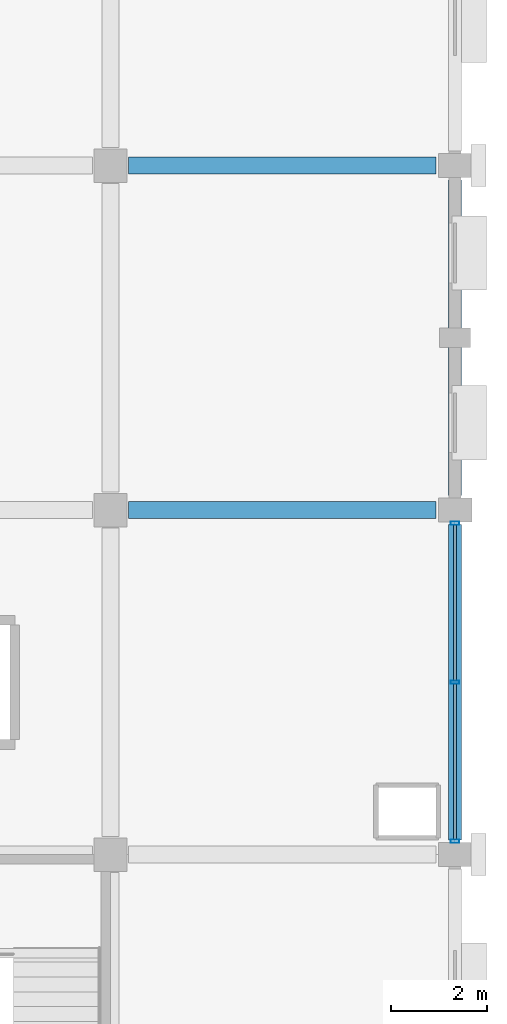
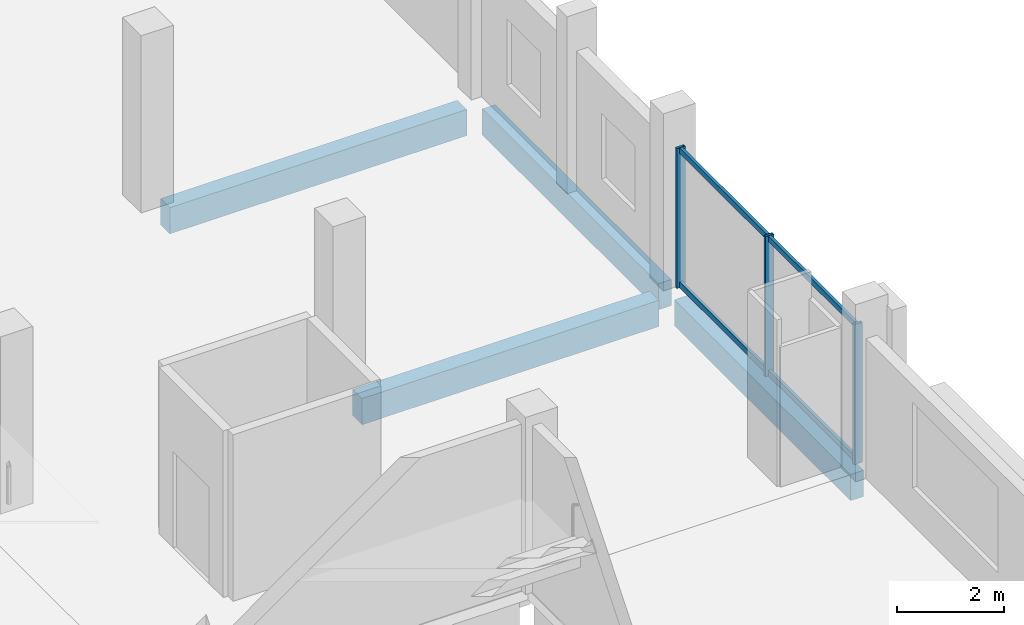
# One storey, part 47 of 91: 7 members, 4 beams, 1 element without a shape of its own.
"""IFC4 building model written with IfcOpenShell, lengths in metres."""

import ifcopenshell
import ifcopenshell.guid

model = None  # the IFC model being written
_history = None  # IfcOwnerHistory: only IFC2X3 demands one
_inside = {}  # id of a spatial element -> (the spatial element, [elements in it])
_under = {}  # id of a project, library or spatial element -> (it, [spatial elements below it])
_declared = {}  # id of a project -> (the project, [libraries it declares])
_typed = {}  # id of a type object -> (the type object, [elements of that type])
_made_of = {}  # id of a material, layer set ... -> (it, [elements and type objects made of it])


def new_model(schema):
    """Start an empty IFC model of exactly this schema.

    Asked for "IFC4X3", IfcOpenShell would pick the latest addendum, in which some entities
    have other attributes; the version numbers below select the first issue.
    IFC2X3 requires an IfcOwnerHistory on every rooted entity: one is made here for all.
    """
    global model, _history
    if schema == "IFC4X3":
        model = ifcopenshell.file(schema_version=(4, 3, 0, 0))
    else:
        model = ifcopenshell.file(schema=schema)
    _inside.clear()
    _under.clear()
    _declared.clear()
    _typed.clear()
    _made_of.clear()
    _history = None
    if model.schema == "IFC2X3":
        org = make("IfcOrganization", Name="unknown")
        user = make(
            "IfcPersonAndOrganization",
            ThePerson=make("IfcPerson", FamilyName="unknown"),
            TheOrganization=org,
        )
        app = make(
            "IfcApplication",
            ApplicationDeveloper=org,
            Version="unknown",
            ApplicationFullName="unknown",
            ApplicationIdentifier="unknown",
        )
        _history = make(
            "IfcOwnerHistory",
            OwningUser=user,
            OwningApplication=app,
            ChangeAction="ADDED",
            CreationDate=0,
        )
    return model


def make(cls, **values):
    """One entity of the class cls with the attributes given. An attribute that is None is left unset."""
    return model.create_entity(
        cls, **{name: value for name, value in values.items() if value is not None}
    )


def rooted(cls, **values):
    """An entity with a GlobalId (a new one), such as an element, a storey or a relation."""
    return make(cls, GlobalId=ifcopenshell.guid.new(), OwnerHistory=_history, **values)


def si_unit(unit_type, name, prefix=None):
    """IfcSIUnit, for example si_unit("LENGTHUNIT", "METRE", prefix="MILLI")."""
    return make("IfcSIUnit", UnitType=unit_type, Prefix=prefix, Name=name)


def assignment(units):
    """IfcUnitAssignment: the units of a project."""
    return None if units is None else make("IfcUnitAssignment", Units=units)


def point(xyz):
    """IfcCartesianPoint."""
    return None if xyz is None else make("IfcCartesianPoint", Coordinates=xyz)


def direction(xyz):
    """IfcDirection."""
    return None if xyz is None else make("IfcDirection", DirectionRatios=xyz)


def frame(location, z_axis=None, x_axis=None):
    """IfcAxis2Placement3D, a coordinate frame: its origin and axes. An axis left out is left unset."""
    return make(
        "IfcAxis2Placement3D",
        Location=point(location),
        Axis=direction(z_axis),
        RefDirection=direction(x_axis),
    )


def frame_2d(location, x_axis=None):
    """IfcAxis2Placement2D, a coordinate frame in the plane: its origin and x axis."""
    return make(
        "IfcAxis2Placement2D", Location=point(location), RefDirection=direction(x_axis)
    )


def origin():
    """The frame at (0, 0, 0) with its axes left unset."""
    return frame((0.0, 0.0, 0.0))


def origin_2d():
    """The frame at (0, 0) in the plane with its x axis left unset."""
    return frame_2d((0.0, 0.0))


def place(relative_to, where):
    """IfcLocalPlacement: puts the frame where relative to a parent placement (None: the world)."""
    return make(
        "IfcLocalPlacement", PlacementRelTo=relative_to, RelativePlacement=where
    )


def context(
    kind, dimensions, precision=None, world=None, true_north=None, identifier=None
):
    """IfcGeometricRepresentationContext, for example the 3D "Model" context."""
    return make(
        "IfcGeometricRepresentationContext",
        ContextIdentifier=identifier,
        ContextType=kind,
        CoordinateSpaceDimension=dimensions,
        Precision=precision,
        WorldCoordinateSystem=world,
        TrueNorth=true_north,
    )


def subcontext(parent, identifier, kind, view, scale=None):
    """IfcGeometricRepresentationSubContext, for example "Body" below "Model"."""
    return make(
        "IfcGeometricRepresentationSubContext",
        ContextIdentifier=identifier,
        ContextType=kind,
        ParentContext=parent,
        TargetScale=scale,
        TargetView=view,
    )


def project(units=None, contexts=None):
    """IfcProject with its units and contexts."""
    return rooted(
        "IfcProject",
        Name="project",
        RepresentationContexts=contexts,
        UnitsInContext=assignment(units),
    )


def spatial(cls, under=None, at=None, **own):
    """A site, building, storey or space (cls), placed at a placement, below another one or the project."""
    s = rooted(cls, ObjectPlacement=at, **own)
    if under is not None:
        _under.setdefault(under.id(), (under, []))[1].append(s)
    return s


def profile(cls, at=None, kind="AREA", **sizes):
    """A parametric profile (cls). Its sizes go by their IFC names, for example OverallWidth=200.0."""
    return make(cls, ProfileType=kind, Position=at, **sizes)


def rectangle(**sizes):
    """IfcRectangleProfileDef."""
    return profile("IfcRectangleProfileDef", **sizes)


def hollow_rectangle(**sizes):
    """IfcRectangleHollowProfileDef."""
    return profile("IfcRectangleHollowProfileDef", **sizes)


def extrude(swept, where, along, depth):
    """IfcExtrudedAreaSolid: the profile swept, set in the frame where, extruded along a direction by depth."""
    return make(
        "IfcExtrudedAreaSolid",
        SweptArea=swept,
        Position=where,
        ExtrudedDirection=direction(along),
        Depth=depth,
    )


def shape(context_of_items, identifier, shape_type, items):
    """IfcShapeRepresentation: the items that make up one representation, for example the "Body"."""
    return make(
        "IfcShapeRepresentation",
        ContextOfItems=context_of_items,
        RepresentationIdentifier=identifier,
        RepresentationType=shape_type,
        Items=items,
    )


def material(Name=None, Category=None):
    """IfcMaterial."""
    return make("IfcMaterial", Name=Name, Category=Category)


def layer(
    of_material, thickness, ventilated=None, Name=None, Category=None, Priority=None
):
    """IfcMaterialLayer: one layer of a wall or slab, of a material (None: an air gap)."""
    return make(
        "IfcMaterialLayer",
        Material=of_material,
        LayerThickness=thickness,
        IsVentilated=ventilated,
        Name=Name,
        Category=Category,
        Priority=Priority,
    )


def layer_set(layers, Name=None):
    """IfcMaterialLayerSet."""
    return make("IfcMaterialLayerSet", MaterialLayers=layers, LayerSetName=Name)


def material_profile(
    of_material, cross_section, Name=None, Category=None, Priority=None
):
    """IfcMaterialProfile: a cross section and its material."""
    return make(
        "IfcMaterialProfile",
        Name=Name,
        Material=of_material,
        Profile=cross_section,
        Priority=Priority,
        Category=Category,
    )


def profile_set(profiles, Name=None, composite=None):
    """IfcMaterialProfileSet."""
    return make(
        "IfcMaterialProfileSet",
        Name=Name,
        MaterialProfiles=profiles,
        CompositeProfile=composite,
    )


def made_of(thing, what):
    """Note that an element or type object is made of a material, layer set ...; save() writes the relation."""
    if what is not None:
        _made_of.setdefault(what.id(), (what, []))[1].append(thing)
    return thing


def type_object(cls, material=None, **own):
    """A type object (cls), such as IfcWallType, which elements share."""
    return made_of(rooted(cls, **own), material)


def element(
    cls,
    number,
    at=None,
    inside=None,
    cuts=None,
    type_object=None,
    material=None,
    context=None,
    identifier="Body",
    shape_type=None,
    held_by="IfcProductDefinitionShape",
    body=None,
    shapes=None,
    **own,
):
    """One element of the class cls, such as IfcWall. Its Tag is "e" and its number.

    at: its placement. inside: the storey or other place that contains it. cuts: it is an
    opening in that element (IfcRelVoidsElement). A single representation is given by context,
    identifier, shape_type and body (its items); several are given by shapes. held_by: the class
    of the entity that holds the representations. save() writes the other relations.
    """
    e = rooted(cls, Tag="e%d" % number, ObjectPlacement=at, **own)
    if body is not None:
        shapes = [shape(context, identifier, shape_type, body)]
    if shapes is not None:
        e.Representation = make(held_by, Representations=shapes)
    if inside is not None:
        _inside.setdefault(inside.id(), (inside, []))[1].append(e)
    if cuts is not None:
        rooted(
            "IfcRelVoidsElement", RelatingBuildingElement=cuts, RelatedOpeningElement=e
        )
    if type_object is not None:
        _typed.setdefault(type_object.id(), (type_object, []))[1].append(e)
    return made_of(e, material)


def aggregate(whole, parts):
    """IfcRelAggregates: a whole, such as a stair, and the parts it consists of."""
    return rooted("IfcRelAggregates", RelatingObject=whole, RelatedObjects=parts)


def save(model, path):
    """Write the relations noted so far, then the file.

    IfcRelAggregates (storeys below a building ...), IfcRelContainedInSpatialStructure (elements
    in a storey), IfcRelDefinesByType, IfcRelAssociatesMaterial and IfcRelDeclares: one each for
    every whole, place, type object, material and project.
    """
    for whole, parts in _under.values():
        aggregate(whole, parts)
    for where, things in _inside.values():
        rooted(
            "IfcRelContainedInSpatialStructure",
            RelatedElements=things,
            RelatingStructure=where,
        )
    for kind, things in _typed.values():
        rooted("IfcRelDefinesByType", RelatedObjects=things, RelatingType=kind)
    for what, things in _made_of.values():
        rooted("IfcRelAssociatesMaterial", RelatedObjects=things, RelatingMaterial=what)
    for by, libraries in _declared.values():
        rooted("IfcRelDeclares", RelatingContext=by, RelatedDefinitions=libraries)
    model.write(path)


model = new_model("IFC4")

# Units and contexts
model_context = context("Model", 3, precision=1e-05, world=origin(), true_north=direction((0.0, 1.0)))
body_context = subcontext(model_context, "Body", "Model", "MODEL_VIEW")
ifc_project = project(units=[si_unit("LENGTHUNIT", "METRE"), si_unit("AREAUNIT", "SQUARE_METRE"), si_unit("VOLUMEUNIT", "CUBIC_METRE"), si_unit("PLANEANGLEUNIT", "RADIAN"), si_unit("MASSUNIT", "GRAM", prefix="KILO")], contexts=[model_context])

# Site, building, storey
site_placement = place(None, origin())
site = spatial("IfcSite", under=ifc_project, at=site_placement, CompositionType="ELEMENT")
building_placement = place(site_placement, origin())
building = spatial("IfcBuilding", under=site, at=building_placement, Name="Kangsadwip Square Police Headquarters", CompositionType="ELEMENT")
storey_placement = place(building_placement, frame((0.0, 0.0, 13.5)))
storey = spatial("IfcBuildingStorey", under=building, at=storey_placement, Name="L03", CompositionType="ELEMENT", Elevation=13.5)

# Curtain wall, members
ifc_material_1 = material(Name="Thermally broken anodised aluminium AW-6063-T6", Category="aluminium")
ifc_layer = layer(ifc_material_1, 0.159912109375)
ifc_layer_set = layer_set([ifc_layer], Name="Thermally broken anodised aluminium AW-6063-T6")
curtain_wall_type = type_object("IfcCurtainWallType", Name="UnitisedCw6710x3200", PredefinedType="NOTDEFINED", material=ifc_layer_set)
curtain_wall_placement = place(storey_placement, origin())
curtain_wall = element("IfcCurtainWall", 1, at=curtain_wall_placement, inside=storey, type_object=curtain_wall_type, Name="Curtain Wall CW-L03-1656-0650", PredefinedType="NOTDEFINED")
ifc_material_2 = material(Name="Thermally broken anodised aluminium AW-6063-T6", Category="aluminium")
ifc_material_profile_1 = material_profile(ifc_material_2, hollow_rectangle(XDim=0.06494140625, YDim=0.179931640625, WallThickness=0.00390625, at=origin_2d()), Name="CWM 180X65X4")
ifc_profile_set_1 = profile_set([ifc_material_profile_1], Name="Thermally broken anodised aluminium AW-6063-T6")
member_type_1 = type_object("IfcMemberType", Name="CwMullion160x65", PredefinedType="MULLION", material=ifc_profile_set_1)
member_1_placement = place(storey_placement, frame((165.60009765625, 65.077392578125, 0.0), z_axis=(0.0, 0.0, 1.0), x_axis=(0.0, 1.0, 0.0)))
member_1 = element("IfcMember", 2, at=member_1_placement, type_object=member_type_1, Name="CW-41 mullion 1", PredefinedType="MULLION", context=body_context, shape_type="SweptSolid", body=[
    extrude(hollow_rectangle(XDim=0.06494140625, YDim=0.179931640625, WallThickness=0.00390625, at=origin_2d()), origin(), (0.0, 0.0, 1.0), 3.199951171875),
])
member_2_placement = place(storey_placement, frame((165.60009765625, 68.39990234375, 0.0), z_axis=(0.0, 0.0, 1.0), x_axis=(0.0, 1.0, 0.0)))
member_2 = element("IfcMember", 3, at=member_2_placement, type_object=member_type_1, Name="CW-41 mullion 2", PredefinedType="MULLION", context=body_context, shape_type="SweptSolid", body=[
    extrude(hollow_rectangle(XDim=0.06494140625, YDim=0.179931640625, WallThickness=0.00390625, at=origin_2d()), origin(), (0.0, 0.0, 1.0), 3.199951171875),
])
member_3_placement = place(storey_placement, frame((165.60009765625, 71.722412109375, 0.0), z_axis=(0.0, 0.0, 1.0), x_axis=(0.0, 1.0, 0.0)))
member_3 = element("IfcMember", 4, at=member_3_placement, type_object=member_type_1, Name="CW-41 mullion 3", PredefinedType="MULLION", context=body_context, shape_type="SweptSolid", body=[
    extrude(hollow_rectangle(XDim=0.06494140625, YDim=0.179931640625, WallThickness=0.00390625, at=origin_2d()), origin(), (0.0, 0.0, 1.0), 3.199951171875),
])
ifc_material_3 = material(Name="Thermally broken anodised aluminium AW-6063-T6", Category="aluminium")
ifc_material_profile_2 = material_profile(ifc_material_3, hollow_rectangle(XDim=0.06494140625, YDim=0.1298828125, WallThickness=0.00390625, at=origin_2d()), Name="CWT 130X65X4")
ifc_profile_set_2 = profile_set([ifc_material_profile_2], Name="Thermally broken anodised aluminium AW-6063-T6")
member_type_2 = type_object("IfcMemberType", Name="CwTransom140x60", PredefinedType="USERDEFINED", material=ifc_profile_set_2)
member_4_placement = place(storey_placement, frame((165.60009765625, 65.110107421875, 0.06494140625), z_axis=(0.0, 1.0, 0.0), x_axis=(-1.0, 0.0, 0.0)))
member_4 = element("IfcMember", 5, at=member_4_placement, type_object=member_type_2, Name="CW-41 transom 1.1", ObjectType="TRANSOM", PredefinedType="USERDEFINED", context=body_context, shape_type="SweptSolid", body=[
    extrude(hollow_rectangle(XDim=0.06494140625, YDim=0.1298828125, WallThickness=0.00390625, at=origin_2d()), origin(), (0.0, 0.0, 1.0), 3.25732421875),
])
member_5_placement = place(storey_placement, frame((165.60009765625, 65.110107421875, 3.135009765625), z_axis=(0.0, 1.0, 0.0), x_axis=(-1.0, 0.0, 0.0)))
member_5 = element("IfcMember", 6, at=member_5_placement, type_object=member_type_2, Name="CW-41 transom 1.2", ObjectType="TRANSOM", PredefinedType="USERDEFINED", context=body_context, shape_type="SweptSolid", body=[
    extrude(hollow_rectangle(XDim=0.06494140625, YDim=0.1298828125, WallThickness=0.00390625, at=origin_2d()), origin(), (0.0, 0.0, 1.0), 3.25732421875),
])
member_6_placement = place(storey_placement, frame((165.60009765625, 68.4326171875, 0.06494140625), z_axis=(0.0, 1.0, 0.0), x_axis=(-1.0, 0.0, 0.0)))
member_6 = element("IfcMember", 7, at=member_6_placement, type_object=member_type_2, Name="CW-41 transom 2.1", ObjectType="TRANSOM", PredefinedType="USERDEFINED", context=body_context, shape_type="SweptSolid", body=[
    extrude(hollow_rectangle(XDim=0.06494140625, YDim=0.1298828125, WallThickness=0.00390625, at=origin_2d()), origin(), (0.0, 0.0, 1.0), 3.25732421875),
])
member_7_placement = place(storey_placement, frame((165.60009765625, 68.4326171875, 3.135009765625), z_axis=(0.0, 1.0, 0.0), x_axis=(-1.0, 0.0, 0.0)))
member_7 = element("IfcMember", 8, at=member_7_placement, type_object=member_type_2, Name="CW-41 transom 2.2", ObjectType="TRANSOM", PredefinedType="USERDEFINED", context=body_context, shape_type="SweptSolid", body=[
    extrude(hollow_rectangle(XDim=0.06494140625, YDim=0.1298828125, WallThickness=0.00390625, at=origin_2d()), origin(), (0.0, 0.0, 1.0), 3.25732421875),
])
aggregate(curtain_wall, [member_1, member_2, member_3, member_4, member_5, member_6, member_7])

# Beams
ifc_material_4 = material(Name="Concrete M35 (35 MPa)", Category="concrete")
ifc_material_profile_3 = material_profile(ifc_material_4, rectangle(XDim=0.35009765625, YDim=0.60009765625, at=origin_2d()), Name="RC BM 600X350")
ifc_profile_set_3 = profile_set([ifc_material_profile_3], Name="Concrete M35 (35 MPa)")
beam_type_1 = type_object("IfcBeamType", Name="RcBeam600x350", PredefinedType="BEAM", material=ifc_profile_set_3)
for number, where, z_axis, x_axis, name in (
    (9, (158.77490234375, 72.0, -0.5400390625), (1.0, 0.0, 0.0), (0.0, 1.0, 0.0), "Beam BM-L03-X-22-10"),
    (10, (158.77490234375, 79.199951171875, -0.5400390625), (1.0, 0.0, 0.0), (0.0, 1.0, 0.0), "Beam BM-L03-X-22-11"),
):
    element("IfcBeam", number, at=place(storey_placement, frame(where, z_axis=z_axis, x_axis=x_axis)), inside=storey, type_object=beam_type_1, Name=name, PredefinedType="BEAM", context=body_context, shape_type="SweptSolid", body=[
        extrude(rectangle(XDim=0.35009765625, YDim=0.60009765625, at=origin_2d()), origin(), (0.0, 0.0, 1.0), 6.425048828125),
    ])
ifc_material_5 = material(Name="Concrete M40 (40 MPa)", Category="concrete")
ifc_material_profile_4 = material_profile(ifc_material_5, rectangle(XDim=0.280029296875, YDim=0.60009765625, at=origin_2d()), Name="RC SPN 600X280")
ifc_profile_set_4 = profile_set([ifc_material_profile_4], Name="Concrete M40 (40 MPa)")
beam_type_2 = type_object("IfcBeamType", Name="RcSpandrel600x280", PredefinedType="SPANDREL", material=ifc_profile_set_4)
for number, where, z_axis, x_axis, name in (
    (11, (165.60009765625, 65.10009765625, -0.5400390625), (0.0, 1.0, 0.0), (-1.0, 0.0, 0.0), "Beam BM-L03-Y-23-09"),
    (12, (165.60009765625, 72.300048828125, -0.5400390625), (0.0, 1.0, 0.0), (-1.0, 0.0, 0.0), "Beam BM-L03-Y-23-10"),
):
    element("IfcBeam", number, at=place(storey_placement, frame(where, z_axis=z_axis, x_axis=x_axis)), inside=storey, type_object=beam_type_2, Name=name, PredefinedType="SPANDREL", context=body_context, shape_type="SweptSolid", body=[
        extrude(rectangle(XDim=0.280029296875, YDim=0.60009765625, at=origin_2d()), origin(), (0.0, 0.0, 1.0), 6.599853515625),
    ])

save(model, "model.ifc")
